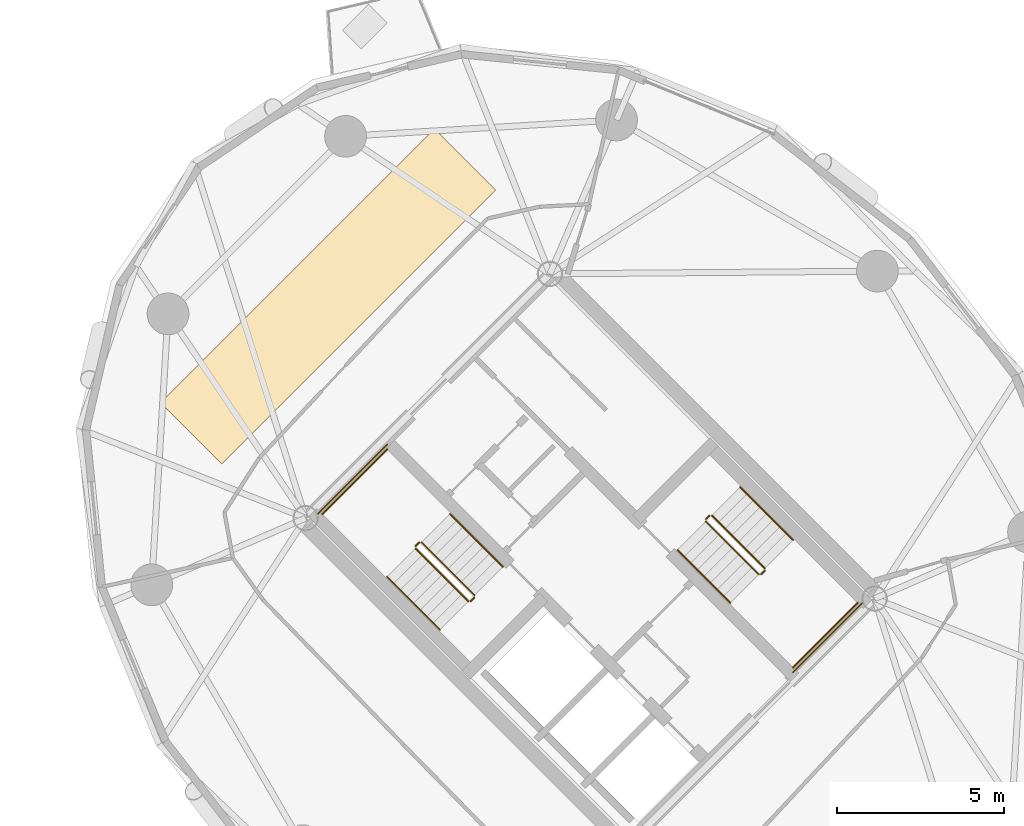
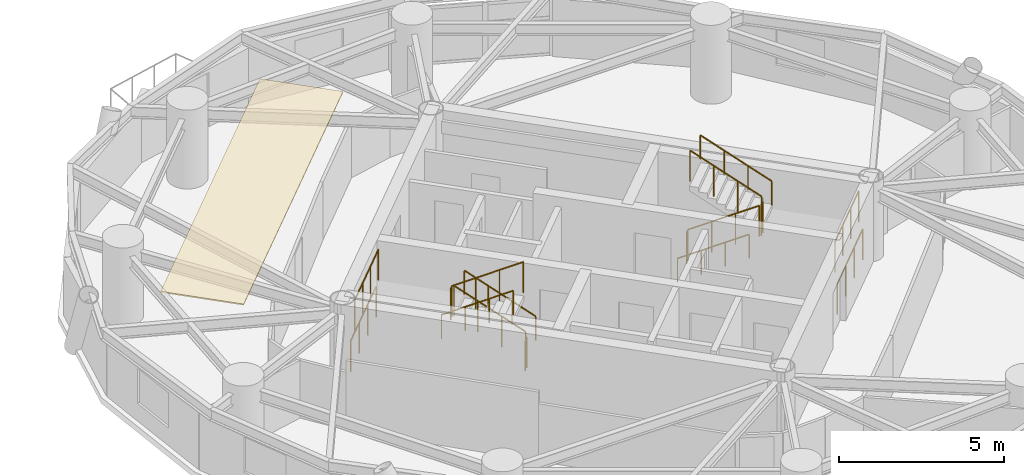
# One storey, part 14 of 15: 16 railings, 1 covering.
"""IFC4 building model written with IfcOpenShell, lengths in metres."""

from ifc_helpers import new_model, si_unit, direction, frame, origin, origin_2d, place, context, subcontext, project, spatial, polyline, circle, outline, extrude, material, layer, layer_set, type_object, element, save


model = new_model("IFC4")

# Units and contexts
model_context = context("Model", 3, precision=1e-05, world=origin(), true_north=direction((0.0, 1.0)))
body_context = subcontext(model_context, "Body", "Model", "MODEL_VIEW")
ifc_project = project(units=[si_unit("LENGTHUNIT", "METRE"), si_unit("AREAUNIT", "SQUARE_METRE"), si_unit("VOLUMEUNIT", "CUBIC_METRE"), si_unit("PLANEANGLEUNIT", "RADIAN"), si_unit("MASSUNIT", "GRAM", prefix="KILO")], contexts=[model_context])

# Site, building, storey
site_placement = place(None, origin())
site = spatial("IfcSite", under=ifc_project, at=site_placement, CompositionType="ELEMENT")
building_placement = place(site_placement, origin())
building = spatial("IfcBuilding", under=site, at=building_placement, Name="Cununo Teusaquillo Station Towers", CompositionType="ELEMENT")
storey_placement = place(building_placement, frame((0.0, 0.0, 189.429931640625)))
storey = spatial("IfcBuildingStorey", under=building, at=storey_placement, Name="L60", CompositionType="ELEMENT", Elevation=189.429931640625)

# Covering
ifc_material_1 = material(Name="Mineral-fibre acoustic suspended ceiling tile", Category="finish")
ifc_layer = layer(ifc_material_1, 0.044921875)
ifc_layer_set = layer_set([ifc_layer], Name="Mineral-fibre acoustic suspended ceiling tile")
covering_type = type_object("IfcCoveringType", Name="COV-CEIL-600", PredefinedType="CEILING", material=ifc_layer_set)
covering_placement = place(storey_placement, frame((0.0, 0.0, 2.525146484375)))
element("IfcCovering", 1, at=covering_placement, inside=storey, type_object=covering_type, Name="L60 Tower B Acoustic Ceiling", PredefinedType="CEILING", context=body_context, shape_type="SweptSolid", body=[
    extrude(outline(polyline([(52.8330078125, 37.369384765625), (54.671630859375, 35.531005859375), (46.468994140625, 27.328369140625), (44.630615234375, 29.1669921875), (52.8330078125, 37.369384765625)])), origin(), (0.0, 0.0, 1.0), 0.044921875),
])

# Railings
ifc_material_2 = material(Name="Steel EN 10025-2 S355J2", Category="steel")
railing_type_1 = type_object("IfcRailingType", Name="RL-INT-GUARD", PredefinedType="GUARDRAIL", material=ifc_material_2)
railing_1_placement = place(storey_placement, frame((54.03515625, 23.39697265625, 0.16162109375)))
element("IfcRailing", 2, at=railing_1_placement, inside=storey, type_object=railing_type_1, Name="L60 ST-T2-1 stair guard 1", PredefinedType="GUARDRAIL", context=body_context, shape_type="SweptSolid", body=[
    extrude(circle(Radius=0.02392578125, at=origin_2d()), frame((0.0, 0.0, 1.1259765625), z_axis=(-0.612332353853, 0.612332353853, 0.500098167213), x_axis=(-0.707106781187, -0.707106781187, 0.0)), (0.0, 0.0, 1.0), 2.58642578125),
    extrude(circle(Radius=0.02099609375, at=origin_2d()), origin(), (0.0, 0.0, 1.0), 1.101806640625),
    extrude(circle(Radius=0.02099609375, at=origin_2d()), frame((-0.52783203125, 0.52783203125, 0.43115234375)), (0.0, 0.0, 1.0), 1.101806640625),
    extrude(circle(Radius=0.02099609375, at=origin_2d()), frame((-1.055908203125, 1.055908203125, 0.8623046875)), (0.0, 0.0, 1.0), 1.101806640625),
    extrude(circle(Radius=0.02099609375, at=origin_2d()), frame((-1.583740234375, 1.583740234375, 1.29345703125)), (0.0, 0.0, 1.0), 1.101806640625),
])
railing_2_placement = place(storey_placement, frame((52.380615234375, 24.980712890625, 1.455078125)))
element("IfcRailing", 3, at=railing_2_placement, inside=storey, type_object=railing_type_1, Name="L60 ST-T2-1 stair guard 2", PredefinedType="GUARDRAIL", context=body_context, shape_type="SweptSolid", body=[
    extrude(circle(Radius=0.02392578125, at=origin_2d()), frame((0.0, 0.0, 1.1259765625), z_axis=(-0.7078691598, -0.706343579714, 0.0), x_axis=(0.706343579714, -0.7078691598, 0.0)), (0.0, 0.0, 1.0), 0.159912109375),
    extrude(circle(Radius=0.02099609375, at=origin_2d()), origin(), (0.0, 0.0, 1.0), 1.101806640625),
    extrude(circle(Radius=0.02099609375, at=origin_2d()), frame((-0.11328125, -0.113037109375, 0.0)), (0.0, 0.0, 1.0), 1.101806640625),
])
railing_3_placement = place(storey_placement, frame((51.426025390625, 27.77392578125, 1.455078125)))
element("IfcRailing", 4, at=railing_3_placement, inside=storey, type_object=railing_type_1, Name="L60 ST-T2-1 stair guard 3", PredefinedType="GUARDRAIL", context=body_context, shape_type="SweptSolid", body=[
    extrude(circle(Radius=0.02392578125, at=origin_2d()), frame((0.0, 0.0, 1.1259765625), z_axis=(-0.707106781187, -0.707106781187, 0.0), x_axis=(0.707106781187, -0.707106781187, 0.0)), (0.0, 0.0, 1.0), 2.760009765625),
    extrude(circle(Radius=0.02099609375, at=origin_2d()), origin(), (0.0, 0.0, 1.0), 1.101806640625),
    extrude(circle(Radius=0.02099609375, at=origin_2d()), frame((-0.650634765625, -0.650634765625, 0.0)), (0.0, 0.0, 1.0), 1.101806640625),
    extrude(circle(Radius=0.02099609375, at=origin_2d()), frame((-1.301025390625, -1.301025390625, 0.0)), (0.0, 0.0, 1.0), 1.101806640625),
    extrude(circle(Radius=0.02099609375, at=origin_2d()), frame((-1.95166015625, -1.95166015625, 0.0)), (0.0, 0.0, 1.0), 1.101806640625),
])
railing_4_placement = place(storey_placement, frame((52.267333984375, 24.796875, 1.61669921875)))
element("IfcRailing", 5, at=railing_4_placement, inside=storey, type_object=railing_type_1, Name="L60 ST-T2-1 stair guard 4", PredefinedType="GUARDRAIL", context=body_context, shape_type="SweptSolid", body=[
    extrude(circle(Radius=0.02392578125, at=origin_2d()), frame((0.0, 0.0, 1.1259765625), z_axis=(0.612391349474, -0.612296961165, 0.500069261639), x_axis=(0.707052281454, 0.707161276719, 0.0)), (0.0, 0.0, 1.0), 2.586669921875),
    extrude(circle(Radius=0.02099609375, at=origin_2d()), origin(), (0.0, 0.0, 1.0), 1.101806640625),
    extrude(circle(Radius=0.02099609375, at=origin_2d()), frame((0.528076171875, -0.52783203125, 0.43115234375)), (0.0, 0.0, 1.0), 1.101806640625),
    extrude(circle(Radius=0.02099609375, at=origin_2d()), frame((1.055908203125, -1.055908203125, 0.8623046875)), (0.0, 0.0, 1.0), 1.101806640625),
    extrude(circle(Radius=0.02099609375, at=origin_2d()), frame((1.583984375, -1.583740234375, 1.29345703125)), (0.0, 0.0, 1.0), 1.101806640625),
])
railing_5_placement = place(storey_placement, frame((54.03515625, 23.326171875, 0.0)))
element("IfcRailing", 6, at=railing_5_placement, inside=storey, type_object=railing_type_1, Name="L60 ST-T2-1 stair guard 5", PredefinedType="GUARDRAIL", context=body_context, shape_type="SweptSolid", body=[
    extrude(circle(Radius=0.02392578125, at=origin_2d()), frame((0.0, 0.0, 1.1259765625), z_axis=(-0.707106781187, -0.707106781187, 0.0), x_axis=(0.707106781187, -0.707106781187, 0.0)), (0.0, 0.0, 1.0), 0.159912109375),
    extrude(circle(Radius=0.02099609375, at=origin_2d()), origin(), (0.0, 0.0, 1.0), 1.101806640625),
    extrude(circle(Radius=0.02099609375, at=origin_2d()), frame((-0.113037109375, -0.113037109375, 0.0)), (0.0, 0.0, 1.0), 1.101806640625),
])
railing_6_placement = place(storey_placement, frame((51.426025390625, 27.915283203125, 0.0)))
element("IfcRailing", 7, at=railing_6_placement, inside=storey, type_object=railing_type_1, Name="L60 ST-T2-1 stair guard 6", PredefinedType="GUARDRAIL", context=body_context, shape_type="SweptSolid", body=[
    extrude(circle(Radius=0.02392578125, at=origin_2d()), frame((0.0, 0.0, 1.1259765625), z_axis=(-0.707106781187, -0.707106781187, 0.0), x_axis=(0.707106781187, -0.707106781187, 0.0)), (0.0, 0.0, 1.0), 2.9599609375),
    extrude(circle(Radius=0.02099609375, at=origin_2d()), origin(), (0.0, 0.0, 1.0), 1.101806640625),
    extrude(circle(Radius=0.02099609375, at=origin_2d()), frame((-0.69775390625, -0.69775390625, 0.0)), (0.0, 0.0, 1.0), 1.101806640625),
    extrude(circle(Radius=0.02099609375, at=origin_2d()), frame((-1.395263671875, -1.395263671875, 0.0)), (0.0, 0.0, 1.0), 1.101806640625),
    extrude(circle(Radius=0.02099609375, at=origin_2d()), frame((-2.093017578125, -2.093017578125, 0.0)), (0.0, 0.0, 1.0), 1.101806640625),
])
railing_7_placement = place(storey_placement, frame((60.96484375, 25.60302734375, 0.16162109375)))
element("IfcRailing", 8, at=railing_7_placement, inside=storey, type_object=railing_type_1, Name="L60 ST-T2-2 stair guard 1", PredefinedType="GUARDRAIL", context=body_context, shape_type="SweptSolid", body=[
    extrude(circle(Radius=0.02392578125, at=origin_2d()), frame((0.0, 0.0, 1.1259765625), z_axis=(0.612332353853, -0.612332353853, 0.500098167213), x_axis=(0.707106781187, 0.707106781187, 0.0)), (0.0, 0.0, 1.0), 2.58642578125),
    extrude(circle(Radius=0.02099609375, at=origin_2d()), origin(), (0.0, 0.0, 1.0), 1.101806640625),
    extrude(circle(Radius=0.02099609375, at=origin_2d()), frame((0.52783203125, -0.52783203125, 0.43115234375)), (0.0, 0.0, 1.0), 1.101806640625),
    extrude(circle(Radius=0.02099609375, at=origin_2d()), frame((1.055908203125, -1.055908203125, 0.8623046875)), (0.0, 0.0, 1.0), 1.101806640625),
    extrude(circle(Radius=0.02099609375, at=origin_2d()), frame((1.583740234375, -1.583740234375, 1.29345703125)), (0.0, 0.0, 1.0), 1.101806640625),
])
railing_8_placement = place(storey_placement, frame((62.619384765625, 24.019287109375, 1.455078125)))
element("IfcRailing", 9, at=railing_8_placement, inside=storey, type_object=railing_type_1, Name="L60 ST-T2-2 stair guard 2", PredefinedType="GUARDRAIL", context=body_context, shape_type="SweptSolid", body=[
    extrude(circle(Radius=0.02392578125, at=origin_2d()), frame((0.0, 0.0, 1.1259765625), z_axis=(0.7078691598, 0.706343579714, 0.0), x_axis=(-0.706343579714, 0.7078691598, 0.0)), (0.0, 0.0, 1.0), 0.159912109375),
    extrude(circle(Radius=0.02099609375, at=origin_2d()), origin(), (0.0, 0.0, 1.0), 1.101806640625),
    extrude(circle(Radius=0.02099609375, at=origin_2d()), frame((0.11328125, 0.113037109375, 0.0)), (0.0, 0.0, 1.0), 1.101806640625),
])
railing_9_placement = place(storey_placement, frame((63.573974609375, 21.22607421875, 1.455078125)))
element("IfcRailing", 10, at=railing_9_placement, inside=storey, type_object=railing_type_1, Name="L60 ST-T2-2 stair guard 3", PredefinedType="GUARDRAIL", context=body_context, shape_type="SweptSolid", body=[
    extrude(circle(Radius=0.02392578125, at=origin_2d()), frame((0.0, 0.0, 1.1259765625), z_axis=(0.707106781187, 0.707106781187, 0.0), x_axis=(-0.707106781187, 0.707106781187, 0.0)), (0.0, 0.0, 1.0), 2.760009765625),
    extrude(circle(Radius=0.02099609375, at=origin_2d()), origin(), (0.0, 0.0, 1.0), 1.101806640625),
    extrude(circle(Radius=0.02099609375, at=origin_2d()), frame((0.650634765625, 0.650634765625, 0.0)), (0.0, 0.0, 1.0), 1.101806640625),
    extrude(circle(Radius=0.02099609375, at=origin_2d()), frame((1.301025390625, 1.301025390625, 0.0)), (0.0, 0.0, 1.0), 1.101806640625),
    extrude(circle(Radius=0.02099609375, at=origin_2d()), frame((1.95166015625, 1.95166015625, 0.0)), (0.0, 0.0, 1.0), 1.101806640625),
])
railing_10_placement = place(storey_placement, frame((62.732666015625, 24.203125, 1.61669921875)))
element("IfcRailing", 11, at=railing_10_placement, inside=storey, type_object=railing_type_1, Name="L60 ST-T2-2 stair guard 4", PredefinedType="GUARDRAIL", context=body_context, shape_type="SweptSolid", body=[
    extrude(circle(Radius=0.02392578125, at=origin_2d()), frame((0.0, 0.0, 1.1259765625), z_axis=(-0.612391349474, 0.612296961165, 0.500069261639), x_axis=(-0.707052281454, -0.707161276719, 0.0)), (0.0, 0.0, 1.0), 2.586669921875),
    extrude(circle(Radius=0.02099609375, at=origin_2d()), origin(), (0.0, 0.0, 1.0), 1.101806640625),
    extrude(circle(Radius=0.02099609375, at=origin_2d()), frame((-0.528076171875, 0.52783203125, 0.43115234375)), (0.0, 0.0, 1.0), 1.101806640625),
    extrude(circle(Radius=0.02099609375, at=origin_2d()), frame((-1.055908203125, 1.055908203125, 0.8623046875)), (0.0, 0.0, 1.0), 1.101806640625),
    extrude(circle(Radius=0.02099609375, at=origin_2d()), frame((-1.583984375, 1.583740234375, 1.29345703125)), (0.0, 0.0, 1.0), 1.101806640625),
])
railing_11_placement = place(storey_placement, frame((60.96484375, 25.673828125, 0.0)))
element("IfcRailing", 12, at=railing_11_placement, inside=storey, type_object=railing_type_1, Name="L60 ST-T2-2 stair guard 5", PredefinedType="GUARDRAIL", context=body_context, shape_type="SweptSolid", body=[
    extrude(circle(Radius=0.02392578125, at=origin_2d()), frame((0.0, 0.0, 1.1259765625), z_axis=(0.707106781187, 0.707106781187, 0.0), x_axis=(-0.707106781187, 0.707106781187, 0.0)), (0.0, 0.0, 1.0), 0.159912109375),
    extrude(circle(Radius=0.02099609375, at=origin_2d()), origin(), (0.0, 0.0, 1.0), 1.101806640625),
    extrude(circle(Radius=0.02099609375, at=origin_2d()), frame((0.113037109375, 0.113037109375, 0.0)), (0.0, 0.0, 1.0), 1.101806640625),
])
railing_12_placement = place(storey_placement, frame((63.573974609375, 21.084716796875, 0.0)))
element("IfcRailing", 13, at=railing_12_placement, inside=storey, type_object=railing_type_1, Name="L60 ST-T2-2 stair guard 6", PredefinedType="GUARDRAIL", context=body_context, shape_type="SweptSolid", body=[
    extrude(circle(Radius=0.02392578125, at=origin_2d()), frame((0.0, 0.0, 1.1259765625), z_axis=(0.707106781187, 0.707106781187, 0.0), x_axis=(-0.707106781187, 0.707106781187, 0.0)), (0.0, 0.0, 1.0), 2.9599609375),
    extrude(circle(Radius=0.02099609375, at=origin_2d()), origin(), (0.0, 0.0, 1.0), 1.101806640625),
    extrude(circle(Radius=0.02099609375, at=origin_2d()), frame((0.69775390625, 0.69775390625, 0.0)), (0.0, 0.0, 1.0), 1.101806640625),
    extrude(circle(Radius=0.02099609375, at=origin_2d()), frame((1.395263671875, 1.395263671875, 0.0)), (0.0, 0.0, 1.0), 1.101806640625),
    extrude(circle(Radius=0.02099609375, at=origin_2d()), frame((2.093017578125, 2.093017578125, 0.0)), (0.0, 0.0, 1.0), 1.101806640625),
])
ifc_material_3 = material(Name="Steel EN 10025-2 S355J2", Category="steel")
railing_type_2 = type_object("IfcRailingType", Name="RL-INT-HRAIL", PredefinedType="HANDRAIL", material=ifc_material_3)
railing_13_placement = place(storey_placement, frame((54.8837890625, 24.245361328125, 0.16162109375)))
element("IfcRailing", 14, at=railing_13_placement, inside=storey, type_object=railing_type_2, Name="L60 ST-T2-1 stair handrail 1", PredefinedType="HANDRAIL", context=body_context, shape_type="SweptSolid", body=[
    extrude(circle(Radius=0.02392578125, at=origin_2d()), frame((0.0, 0.0, 0.8759765625), z_axis=(-0.612355957468, 0.612355957468, 0.500040361077), x_axis=(-0.707106781187, -0.707106781187, 0.0)), (0.0, 0.0, 1.0), 2.586669921875),
    extrude(circle(Radius=0.02099609375, at=origin_2d()), origin(), (0.0, 0.0, 1.0), 0.851806640625),
    extrude(circle(Radius=0.02099609375, at=origin_2d()), frame((-0.528076171875, 0.528076171875, 0.43115234375)), (0.0, 0.0, 1.0), 0.851806640625),
    extrude(circle(Radius=0.02099609375, at=origin_2d()), frame((-1.055908203125, 1.055908203125, 0.8623046875)), (0.0, 0.0, 1.0), 0.851806640625),
    extrude(circle(Radius=0.02099609375, at=origin_2d()), frame((-1.583984375, 1.583984375, 1.29345703125)), (0.0, 0.0, 1.0), 0.851806640625),
])
for number, where, name in (
    (15, (51.4189453125, 23.948486328125, 1.61669921875), "L60 ST-T2-1 stair handrail 2"),
    (16, (60.1162109375, 24.754638671875, 0.16162109375), "L60 ST-T2-2 stair handrail 1"),
):
    element("IfcRailing", number, at=place(storey_placement, frame(where)), inside=storey, type_object=railing_type_2, Name=name, PredefinedType="HANDRAIL", context=body_context, shape_type="SweptSolid", body=[
        extrude(circle(Radius=0.02392578125, at=origin_2d()), frame((0.0, 0.0, 0.8759765625), z_axis=(0.612355957468, -0.612355957468, 0.500040361077), x_axis=(0.707106781187, 0.707106781187, 0.0)), (0.0, 0.0, 1.0), 2.586669921875),
        extrude(circle(Radius=0.02099609375, at=origin_2d()), origin(), (0.0, 0.0, 1.0), 0.851806640625),
        extrude(circle(Radius=0.02099609375, at=origin_2d()), frame((0.528076171875, -0.528076171875, 0.43115234375)), (0.0, 0.0, 1.0), 0.851806640625),
        extrude(circle(Radius=0.02099609375, at=origin_2d()), frame((1.055908203125, -1.055908203125, 0.8623046875)), (0.0, 0.0, 1.0), 0.851806640625),
        extrude(circle(Radius=0.02099609375, at=origin_2d()), frame((1.583984375, -1.583984375, 1.29345703125)), (0.0, 0.0, 1.0), 0.851806640625),
    ])
railing_14_placement = place(storey_placement, frame((63.5810546875, 25.051513671875, 1.61669921875)))
element("IfcRailing", 17, at=railing_14_placement, inside=storey, type_object=railing_type_2, Name="L60 ST-T2-2 stair handrail 2", PredefinedType="HANDRAIL", context=body_context, shape_type="SweptSolid", body=[
    extrude(circle(Radius=0.02392578125, at=origin_2d()), frame((0.0, 0.0, 0.8759765625), z_axis=(-0.612355957468, 0.612355957468, 0.500040361077), x_axis=(-0.707106781187, -0.707106781187, 0.0)), (0.0, 0.0, 1.0), 2.586669921875),
    extrude(circle(Radius=0.02099609375, at=origin_2d()), origin(), (0.0, 0.0, 1.0), 0.851806640625),
    extrude(circle(Radius=0.02099609375, at=origin_2d()), frame((-0.528076171875, 0.528076171875, 0.43115234375)), (0.0, 0.0, 1.0), 0.851806640625),
    extrude(circle(Radius=0.02099609375, at=origin_2d()), frame((-1.055908203125, 1.055908203125, 0.8623046875)), (0.0, 0.0, 1.0), 0.851806640625),
    extrude(circle(Radius=0.02099609375, at=origin_2d()), frame((-1.583984375, 1.583984375, 1.29345703125)), (0.0, 0.0, 1.0), 0.851806640625),
])

save(model, "model.ifc")
